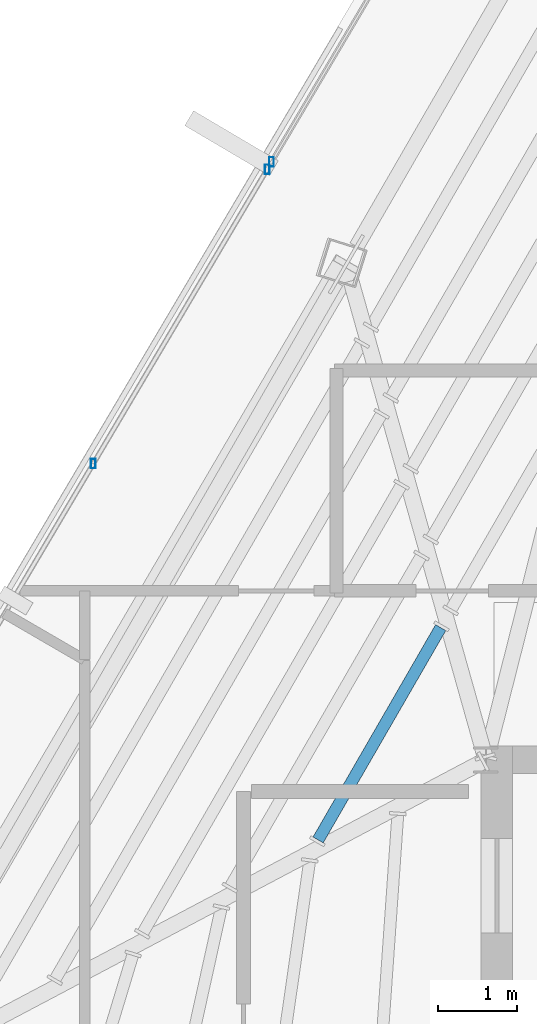
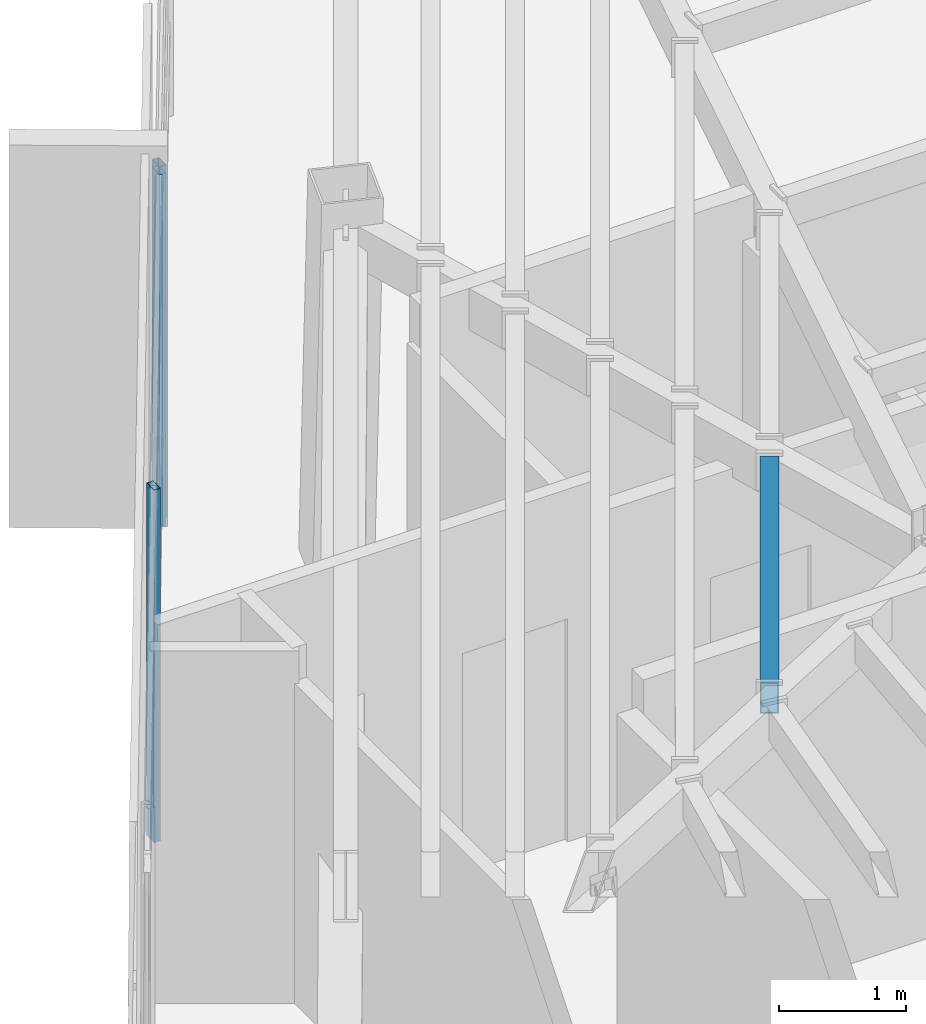
# One storey, part 19 of 48: 3 members, 1 beam, 2 elements without a shape of their own.
"""IFC4 building model written with IfcOpenShell, lengths in metres."""

from ifc_helpers import new_model, si_unit, direction, frame, origin, origin_2d, place, context, subcontext, project, spatial, hollow_rectangle, extrude, source, transform, mapped, material, material_profile, profile_set, type_object, type_shapes, element, aggregate, save


model = new_model("IFC4")

# Units and contexts
model_context = context("Model", 3, precision=1e-05, world=origin(), true_north=direction((0.0, 1.0)))
body_context = subcontext(model_context, "Body", "Model", "MODEL_VIEW")
ifc_project = project(units=[si_unit("LENGTHUNIT", "METRE"), si_unit("AREAUNIT", "SQUARE_METRE"), si_unit("VOLUMEUNIT", "CUBIC_METRE"), si_unit("PLANEANGLEUNIT", "RADIAN"), si_unit("MASSUNIT", "GRAM", prefix="KILO")], contexts=[model_context])

# Site, building, storey
site_placement = place(None, origin())
site = spatial("IfcSite", under=ifc_project, at=site_placement, CompositionType="ELEMENT")
building_placement = place(site_placement, origin())
building = spatial("IfcBuilding", under=site, at=building_placement, Name="Caelisora Broadcast Tower", CompositionType="ELEMENT")
storey_placement = place(building_placement, frame((0.0, 0.0, 277.300048828125)))
storey = spatial("IfcBuildingStorey", under=building, at=storey_placement, Name="L73", CompositionType="ELEMENT", Elevation=277.300048828125)

# Beam
ifc_material_1 = material(Name="Steel Grade 350 (AS/NZS 1163 C350L0)", Category="steel")
ifc_material_profile_1 = material_profile(ifc_material_1, hollow_rectangle(XDim=0.14990234375, YDim=0.300048828125, WallThickness=0.010009765625, at=origin_2d()), Name="Steel Grade 350 (AS/NZS 1163 C350L0)")
ifc_profile_set_1 = profile_set([ifc_material_profile_1], Name="Steel Grade 350 (AS/NZS 1163 C350L0)")
beam_type = type_object("IfcBeamType", Name="SB05", PredefinedType="JOIST", material=ifc_profile_set_1)
shared_shape_1 = source(origin(), body_context, "Body", "SweptSolid", [
    extrude(hollow_rectangle(XDim=0.14990234375, YDim=0.300048828125, WallThickness=0.010009765625, at=origin_2d()), origin(), (0.0, 0.0, 1.0), 3.115478515625),
])
type_shapes(beam_type, [shared_shape_1])
beam_placement = place(storey_placement, frame((29.9248046875, 31.681640625, 3.25), z_axis=(-0.500041268423, -0.866001576138, 0.0), x_axis=(0.866001576138, -0.500041268423, 0.0)))
element("IfcBeam", 1, at=beam_placement, inside=storey, type_object=beam_type, Name="L73 beam SB05", PredefinedType="JOIST", context=body_context, shape_type="MappedRepresentation", body=[
    mapped(shared_shape_1, transform((0.0, 0.0, 0.0), scale=1.0)),
])

# Curtain wall, members
ifc_material_2 = material(Name="Unitised Aluminium Insulated Shadow-Box Spandrel Curtain Wall", Category="aluminium")
curtain_wall_type_1 = type_object("IfcCurtainWallType", Name="CW-SP3", PredefinedType="NOTDEFINED", material=ifc_material_2)
curtain_wall_1_placement = place(storey_placement, origin())
curtain_wall_1 = element("IfcCurtainWall", 2, at=curtain_wall_1_placement, inside=storey, type_object=curtain_wall_type_1, Name="L73 curtain wall CW-SP3", PredefinedType="NOTDEFINED")
ifc_material_3 = material(Name="Aluminium 6063-T6 Anodised Terracotta Bronze", Category="aluminium")
ifc_material_profile_2 = material_profile(ifc_material_3, hollow_rectangle(XDim=0.06005859375, YDim=0.1201171875, WallThickness=0.0029296875, at=origin_2d()), Name="Aluminium 6063-T6 Anodised Terracotta Bronze")
ifc_profile_set_2 = profile_set([ifc_material_profile_2], Name="Aluminium 6063-T6 Anodised Terracotta Bronze")
member_type = type_object("IfcMemberType", Name="CWM-04", PredefinedType="MULLION", material=ifc_profile_set_2)
shared_shape_2 = source(origin(), body_context, "Body", "SweptSolid", [
    extrude(hollow_rectangle(XDim=0.06005859375, YDim=0.1201171875, WallThickness=0.0029296875, at=origin_2d()), origin(), (0.0, 0.0, 1.0), 3.39990234375),
])
type_shapes(member_type, [shared_shape_2])
member_1_placement = place(storey_placement, frame((25.509765625, 33.765869140625, 0.0), z_axis=(0.0, 0.0, 1.0), x_axis=(1.0, 0.0, 0.0)))
member_1 = element("IfcMember", 3, at=member_1_placement, type_object=member_type, Name="L73-CW-B10 mullion #2", PredefinedType="MULLION", context=body_context, shape_type="MappedRepresentation", body=[
    mapped(shared_shape_2, transform((0.0, 0.0, 0.0), scale=1.0)),
])
member_2_placement = place(storey_placement, frame((27.719970703125, 37.507080078125, 0.0), z_axis=(0.0, 0.0, 1.0), x_axis=(1.0, 0.0, 0.0)))
member_2 = element("IfcMember", 4, at=member_2_placement, type_object=member_type, Name="L73-CW-B10 mullion #3", PredefinedType="MULLION", context=body_context, shape_type="MappedRepresentation", body=[
    mapped(shared_shape_2, transform((0.0, 0.0, 0.0), scale=1.0)),
])
aggregate(curtain_wall_1, [member_1, member_2])

# Curtain wall, member
ifc_material_4 = material(Name="Unitised Aluminium and Low-E Glass Curtain Wall", Category="glass")
curtain_wall_type_2 = type_object("IfcCurtainWallType", Name="CW-Z5", PredefinedType="NOTDEFINED", material=ifc_material_4)
curtain_wall_2_placement = place(storey_placement, origin())
curtain_wall_2 = element("IfcCurtainWall", 5, at=curtain_wall_2_placement, inside=storey, type_object=curtain_wall_type_2, Name="L73 curtain wall CW-Z5", PredefinedType="NOTDEFINED")
member_3_placement = place(storey_placement, frame((27.77587890625, 37.601806640625, 0.0), z_axis=(0.0, 0.0, 1.0), x_axis=(1.0, 0.0, 0.0)))
member_3 = element("IfcMember", 6, at=member_3_placement, type_object=member_type, Name="L73-CW-B11 mullion #0", PredefinedType="MULLION", context=body_context, shape_type="MappedRepresentation", body=[
    mapped(shared_shape_2, transform((0.0, 0.0, 0.0), scale=1.0)),
])
aggregate(curtain_wall_2, [member_3])

save(model, "model.ifc")
